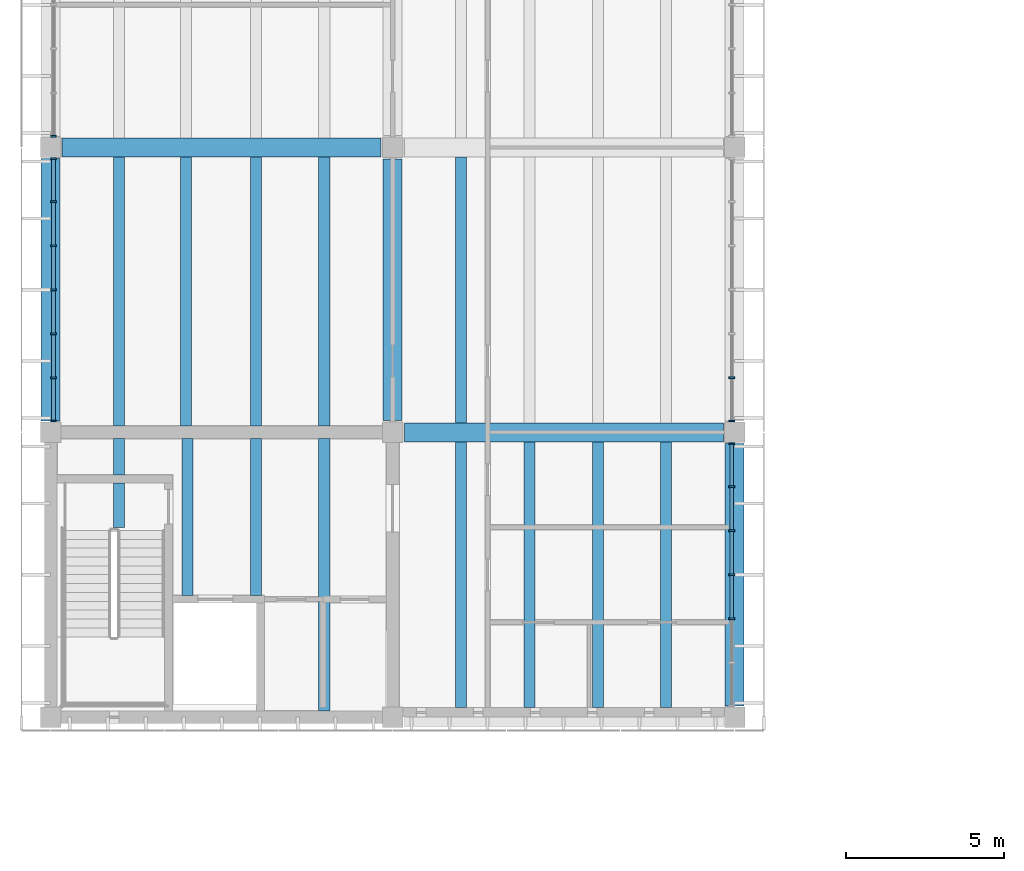
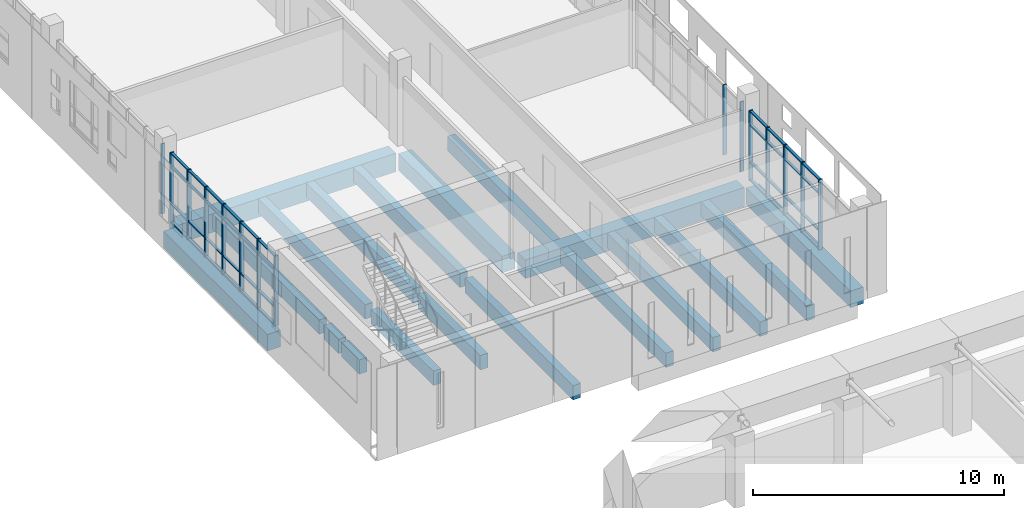
# One storey, part 12 of 92: 55 members, 19 beams, 4 elements without a shape of their own.
"""IFC4 building model written with IfcOpenShell, lengths in metres."""

from ifc_helpers import new_model, si_unit, direction, frame, origin, origin_2d, place, context, subcontext, project, spatial, rectangle, extrude, material, material_profile, profile_set, type_object, element, aggregate, save


model = new_model("IFC4")

# Units and contexts
model_context = context("Model", 3, precision=1e-05, world=origin(), true_north=direction((0.0, 1.0)))
body_context = subcontext(model_context, "Body", "Model", "MODEL_VIEW")
ifc_project = project(units=[si_unit("LENGTHUNIT", "METRE"), si_unit("AREAUNIT", "SQUARE_METRE"), si_unit("VOLUMEUNIT", "CUBIC_METRE"), si_unit("PLANEANGLEUNIT", "RADIAN"), si_unit("MASSUNIT", "GRAM", prefix="KILO")], contexts=[model_context])

# Site, building, storey
site_placement = place(None, origin())
site = spatial("IfcSite", under=ifc_project, at=site_placement, CompositionType="ELEMENT")
building_placement = place(site_placement, origin())
building = spatial("IfcBuilding", under=site, at=building_placement, Name="Merrow Basin Faculty of Sciences", CompositionType="ELEMENT")
storey_placement = place(building_placement, frame((0.0, 0.0, 4.5)))
storey = spatial("IfcBuildingStorey", under=building, at=storey_placement, Name="L01", CompositionType="ELEMENT", Elevation=4.5)

# Curtain wall, members
ifc_material_1 = material(Name="Aluminium alloy 6063", Category="aluminium")
curtain_wall_type = type_object("IfcCurtainWallType", Name="Bar unitised curtain wall 180", PredefinedType="NOTDEFINED", material=ifc_material_1)
curtain_wall_1_placement = place(storey_placement, origin())
curtain_wall_1 = element("IfcCurtainWall", 1, at=curtain_wall_1_placement, inside=storey, type_object=curtain_wall_type, Name="West curtain wall L01 1", PredefinedType="NOTDEFINED")
ifc_material_2 = material(Name="Aluminium alloy 6063", Category="aluminium")
ifc_material_profile_1 = material_profile(ifc_material_2, rectangle(XDim=0.179931640625, YDim=0.06005859375, at=origin_2d()))
ifc_profile_set_1 = profile_set([ifc_material_profile_1], Name="Aluminium alloy 6063")
member_type_1 = type_object("IfcMemberType", Name="Aluminium mullion 60x180", PredefinedType="MULLION", material=ifc_profile_set_1)
member_1_placement = place(storey_placement, frame((0.090087890625, 70.35498046875, 0.0), z_axis=(0.0, 0.0, 1.0), x_axis=(-1.0, 0.0, 0.0)))
member_1 = element("IfcMember", 2, at=member_1_placement, type_object=member_type_1, Name="CW1 mullion 1", PredefinedType="MULLION", context=body_context, shape_type="SweptSolid", body=[
    extrude(rectangle(XDim=0.179931640625, YDim=0.06005859375, at=origin_2d()), origin(), (0.0, 0.0, 1.0), 3.39990234375),
])
member_2_placement = place(storey_placement, frame((0.090087890625, 71.716552734375, 0.0), z_axis=(0.0, 0.0, 1.0), x_axis=(-1.0, 0.0, 0.0)))
member_2 = element("IfcMember", 3, at=member_2_placement, type_object=member_type_1, Name="CW1 mullion 2", PredefinedType="MULLION", context=body_context, shape_type="SweptSolid", body=[
    extrude(rectangle(XDim=0.179931640625, YDim=0.06005859375, at=origin_2d()), origin(), (0.0, 0.0, 1.0), 3.39990234375),
])
member_3_placement = place(storey_placement, frame((0.090087890625, 73.1083984375, 0.0), z_axis=(0.0, 0.0, 1.0), x_axis=(-1.0, 0.0, 0.0)))
member_3 = element("IfcMember", 4, at=member_3_placement, type_object=member_type_1, Name="CW1 mullion 3", PredefinedType="MULLION", context=body_context, shape_type="SweptSolid", body=[
    extrude(rectangle(XDim=0.179931640625, YDim=0.06005859375, at=origin_2d()), origin(), (0.0, 0.0, 1.0), 3.39990234375),
])
member_4_placement = place(storey_placement, frame((0.090087890625, 74.5, 0.0), z_axis=(0.0, 0.0, 1.0), x_axis=(-1.0, 0.0, 0.0)))
member_4 = element("IfcMember", 5, at=member_4_placement, type_object=member_type_1, Name="CW1 mullion 4", PredefinedType="MULLION", context=body_context, shape_type="SweptSolid", body=[
    extrude(rectangle(XDim=0.179931640625, YDim=0.06005859375, at=origin_2d()), origin(), (0.0, 0.0, 1.0), 3.39990234375),
])
member_5_placement = place(storey_placement, frame((0.090087890625, 75.8916015625, 0.0), z_axis=(0.0, 0.0, 1.0), x_axis=(-1.0, 0.0, 0.0)))
member_5 = element("IfcMember", 6, at=member_5_placement, type_object=member_type_1, Name="CW1 mullion 5", PredefinedType="MULLION", context=body_context, shape_type="SweptSolid", body=[
    extrude(rectangle(XDim=0.179931640625, YDim=0.06005859375, at=origin_2d()), origin(), (0.0, 0.0, 1.0), 3.39990234375),
])
member_6_placement = place(storey_placement, frame((0.090087890625, 77.283447265625, 0.0), z_axis=(0.0, 0.0, 1.0), x_axis=(-1.0, 0.0, 0.0)))
member_6 = element("IfcMember", 7, at=member_6_placement, type_object=member_type_1, Name="CW1 mullion 6", PredefinedType="MULLION", context=body_context, shape_type="SweptSolid", body=[
    extrude(rectangle(XDim=0.179931640625, YDim=0.06005859375, at=origin_2d()), origin(), (0.0, 0.0, 1.0), 3.39990234375),
])
member_7_placement = place(storey_placement, frame((0.090087890625, 78.64501953125, 0.0), z_axis=(0.0, 0.0, 1.0), x_axis=(-1.0, 0.0, 0.0)))
member_7 = element("IfcMember", 8, at=member_7_placement, type_object=member_type_1, Name="CW1 mullion 7", PredefinedType="MULLION", context=body_context, shape_type="SweptSolid", body=[
    extrude(rectangle(XDim=0.179931640625, YDim=0.06005859375, at=origin_2d()), origin(), (0.0, 0.0, 1.0), 3.39990234375),
])

# Curtain wall, member
curtain_wall_2_placement = place(storey_placement, origin())
curtain_wall_2 = element("IfcCurtainWall", 9, at=curtain_wall_2_placement, inside=storey, type_object=curtain_wall_type, Name="West curtain wall L01 2", PredefinedType="NOTDEFINED")
member_8_placement = place(storey_placement, frame((0.090087890625, 79.35498046875, 0.0), z_axis=(0.0, 0.0, 1.0), x_axis=(-1.0, 0.0, 0.0)))
member_8 = element("IfcMember", 10, at=member_8_placement, type_object=member_type_1, Name="CW1 mullion 1", PredefinedType="MULLION", context=body_context, shape_type="SweptSolid", body=[
    extrude(rectangle(XDim=0.179931640625, YDim=0.06005859375, at=origin_2d()), origin(), (0.0, 0.0, 1.0), 3.39990234375),
])
aggregate(curtain_wall_2, [member_8])

# Curtain wall, members
curtain_wall_3_placement = place(storey_placement, origin())
curtain_wall_3 = element("IfcCurtainWall", 11, at=curtain_wall_3_placement, inside=storey, type_object=curtain_wall_type, Name="East curtain wall L01 1", PredefinedType="NOTDEFINED")
member_9_placement = place(storey_placement, frame((21.510009765625, 64.1083984375, 0.0), z_axis=(0.0, 0.0, 1.0), x_axis=(-1.0, 0.0, 0.0)))
member_9 = element("IfcMember", 12, at=member_9_placement, type_object=member_type_1, Name="CW1 mullion 3", PredefinedType="MULLION", context=body_context, shape_type="SweptSolid", body=[
    extrude(rectangle(XDim=0.179931640625, YDim=0.06005859375, at=origin_2d()), origin(), (0.0, 0.0, 1.0), 3.39990234375),
])
member_10_placement = place(storey_placement, frame((21.510009765625, 65.5, 0.0), z_axis=(0.0, 0.0, 1.0), x_axis=(-1.0, 0.0, 0.0)))
member_10 = element("IfcMember", 13, at=member_10_placement, type_object=member_type_1, Name="CW1 mullion 4", PredefinedType="MULLION", context=body_context, shape_type="SweptSolid", body=[
    extrude(rectangle(XDim=0.179931640625, YDim=0.06005859375, at=origin_2d()), origin(), (0.0, 0.0, 1.0), 3.39990234375),
])
member_11_placement = place(storey_placement, frame((21.510009765625, 66.8916015625, 0.0), z_axis=(0.0, 0.0, 1.0), x_axis=(-1.0, 0.0, 0.0)))
member_11 = element("IfcMember", 14, at=member_11_placement, type_object=member_type_1, Name="CW1 mullion 5", PredefinedType="MULLION", context=body_context, shape_type="SweptSolid", body=[
    extrude(rectangle(XDim=0.179931640625, YDim=0.06005859375, at=origin_2d()), origin(), (0.0, 0.0, 1.0), 3.39990234375),
])
member_12_placement = place(storey_placement, frame((21.510009765625, 68.283447265625, 0.0), z_axis=(0.0, 0.0, 1.0), x_axis=(-1.0, 0.0, 0.0)))
member_12 = element("IfcMember", 15, at=member_12_placement, type_object=member_type_1, Name="CW1 mullion 6", PredefinedType="MULLION", context=body_context, shape_type="SweptSolid", body=[
    extrude(rectangle(XDim=0.179931640625, YDim=0.06005859375, at=origin_2d()), origin(), (0.0, 0.0, 1.0), 3.39990234375),
])
member_13_placement = place(storey_placement, frame((21.510009765625, 69.64501953125, 0.0), z_axis=(0.0, 0.0, 1.0), x_axis=(-1.0, 0.0, 0.0)))
member_13 = element("IfcMember", 16, at=member_13_placement, type_object=member_type_1, Name="CW1 mullion 7", PredefinedType="MULLION", context=body_context, shape_type="SweptSolid", body=[
    extrude(rectangle(XDim=0.179931640625, YDim=0.06005859375, at=origin_2d()), origin(), (0.0, 0.0, 1.0), 3.39990234375),
])

curtain_wall_4_placement = place(storey_placement, origin())
curtain_wall_4 = element("IfcCurtainWall", 17, at=curtain_wall_4_placement, inside=storey, type_object=curtain_wall_type, Name="East curtain wall L01 2", PredefinedType="NOTDEFINED")
member_14_placement = place(storey_placement, frame((21.510009765625, 70.35498046875, 0.0), z_axis=(0.0, 0.0, 1.0), x_axis=(-1.0, 0.0, 0.0)))
member_14 = element("IfcMember", 18, at=member_14_placement, type_object=member_type_1, Name="CW1 mullion 1", PredefinedType="MULLION", context=body_context, shape_type="SweptSolid", body=[
    extrude(rectangle(XDim=0.179931640625, YDim=0.06005859375, at=origin_2d()), origin(), (0.0, 0.0, 1.0), 3.39990234375),
])
member_15_placement = place(storey_placement, frame((21.510009765625, 71.716552734375, 0.0), z_axis=(0.0, 0.0, 1.0), x_axis=(-1.0, 0.0, 0.0)))
member_15 = element("IfcMember", 19, at=member_15_placement, type_object=member_type_1, Name="CW1 mullion 2", PredefinedType="MULLION", context=body_context, shape_type="SweptSolid", body=[
    extrude(rectangle(XDim=0.179931640625, YDim=0.06005859375, at=origin_2d()), origin(), (0.0, 0.0, 1.0), 3.39990234375),
])
aggregate(curtain_wall_4, [member_14, member_15])

# Member
ifc_material_3 = material(Name="Aluminium alloy 6063", Category="aluminium")
ifc_material_profile_2 = material_profile(ifc_material_3, rectangle(XDim=0.1201171875, YDim=0.06005859375, at=origin_2d()))
ifc_profile_set_2 = profile_set([ifc_material_profile_2], Name="Aluminium alloy 6063")
member_type_2 = type_object("IfcMemberType", Name="Aluminium transom 60x120", PredefinedType="USERDEFINED", material=ifc_profile_set_2)
member_16_placement = place(storey_placement, frame((0.090087890625, 70.385009765625, 0.030029296875), z_axis=(0.0, 1.0, 0.0), x_axis=(-1.0, 0.0, 0.0)))
member_16 = element("IfcMember", 20, at=member_16_placement, type_object=member_type_2, Name="CW1 transom 1.1", ObjectType="TRANSOM", PredefinedType="USERDEFINED", context=body_context, shape_type="SweptSolid", body=[
    extrude(rectangle(XDim=0.1201171875, YDim=0.06005859375, at=origin_2d()), origin(), (0.0, 0.0, 1.0), 1.3017578125),
])

member_17_placement = place(storey_placement, frame((0.090087890625, 70.385009765625, 0.89990234375), z_axis=(0.0, 1.0, 0.0), x_axis=(-1.0, 0.0, 0.0)))
member_17 = element("IfcMember", 21, at=member_17_placement, type_object=member_type_2, Name="CW1 transom 1.2", ObjectType="TRANSOM", PredefinedType="USERDEFINED", context=body_context, shape_type="SweptSolid", body=[
    extrude(rectangle(XDim=0.1201171875, YDim=0.06005859375, at=origin_2d()), origin(), (0.0, 0.0, 1.0), 1.3017578125),
])

member_18_placement = place(storey_placement, frame((0.090087890625, 70.385009765625, 2.699951171875), z_axis=(0.0, 1.0, 0.0), x_axis=(-1.0, 0.0, 0.0)))
member_18 = element("IfcMember", 22, at=member_18_placement, type_object=member_type_2, Name="CW1 transom 1.3", ObjectType="TRANSOM", PredefinedType="USERDEFINED", context=body_context, shape_type="SweptSolid", body=[
    extrude(rectangle(XDim=0.1201171875, YDim=0.06005859375, at=origin_2d()), origin(), (0.0, 0.0, 1.0), 1.3017578125),
])

member_19_placement = place(storey_placement, frame((0.090087890625, 70.385009765625, 3.3701171875), z_axis=(0.0, 1.0, 0.0), x_axis=(-1.0, 0.0, 0.0)))
member_19 = element("IfcMember", 23, at=member_19_placement, type_object=member_type_2, Name="CW1 transom 1.4", ObjectType="TRANSOM", PredefinedType="USERDEFINED", context=body_context, shape_type="SweptSolid", body=[
    extrude(rectangle(XDim=0.1201171875, YDim=0.06005859375, at=origin_2d()), origin(), (0.0, 0.0, 1.0), 1.3017578125),
])

member_20_placement = place(storey_placement, frame((0.090087890625, 71.74658203125, 0.030029296875), z_axis=(0.0, 1.0, 0.0), x_axis=(-1.0, 0.0, 0.0)))
member_20 = element("IfcMember", 24, at=member_20_placement, type_object=member_type_2, Name="CW1 transom 2.1", ObjectType="TRANSOM", PredefinedType="USERDEFINED", context=body_context, shape_type="SweptSolid", body=[
    extrude(rectangle(XDim=0.1201171875, YDim=0.06005859375, at=origin_2d()), origin(), (0.0, 0.0, 1.0), 1.331787109375),
])

member_21_placement = place(storey_placement, frame((0.090087890625, 71.74658203125, 0.89990234375), z_axis=(0.0, 1.0, 0.0), x_axis=(-1.0, 0.0, 0.0)))
member_21 = element("IfcMember", 25, at=member_21_placement, type_object=member_type_2, Name="CW1 transom 2.2", ObjectType="TRANSOM", PredefinedType="USERDEFINED", context=body_context, shape_type="SweptSolid", body=[
    extrude(rectangle(XDim=0.1201171875, YDim=0.06005859375, at=origin_2d()), origin(), (0.0, 0.0, 1.0), 1.331787109375),
])

member_22_placement = place(storey_placement, frame((0.090087890625, 71.74658203125, 2.699951171875), z_axis=(0.0, 1.0, 0.0), x_axis=(-1.0, 0.0, 0.0)))
member_22 = element("IfcMember", 26, at=member_22_placement, type_object=member_type_2, Name="CW1 transom 2.3", ObjectType="TRANSOM", PredefinedType="USERDEFINED", context=body_context, shape_type="SweptSolid", body=[
    extrude(rectangle(XDim=0.1201171875, YDim=0.06005859375, at=origin_2d()), origin(), (0.0, 0.0, 1.0), 1.331787109375),
])

member_23_placement = place(storey_placement, frame((0.090087890625, 71.74658203125, 3.3701171875), z_axis=(0.0, 1.0, 0.0), x_axis=(-1.0, 0.0, 0.0)))
member_23 = element("IfcMember", 27, at=member_23_placement, type_object=member_type_2, Name="CW1 transom 2.4", ObjectType="TRANSOM", PredefinedType="USERDEFINED", context=body_context, shape_type="SweptSolid", body=[
    extrude(rectangle(XDim=0.1201171875, YDim=0.06005859375, at=origin_2d()), origin(), (0.0, 0.0, 1.0), 1.331787109375),
])

member_24_placement = place(storey_placement, frame((0.090087890625, 73.138427734375, 0.030029296875), z_axis=(0.0, 1.0, 0.0), x_axis=(-1.0, 0.0, 0.0)))
member_24 = element("IfcMember", 28, at=member_24_placement, type_object=member_type_2, Name="CW1 transom 3.1", ObjectType="TRANSOM", PredefinedType="USERDEFINED", context=body_context, shape_type="SweptSolid", body=[
    extrude(rectangle(XDim=0.1201171875, YDim=0.06005859375, at=origin_2d()), origin(), (0.0, 0.0, 1.0), 1.33154296875),
])

member_25_placement = place(storey_placement, frame((0.090087890625, 73.138427734375, 0.89990234375), z_axis=(0.0, 1.0, 0.0), x_axis=(-1.0, 0.0, 0.0)))
member_25 = element("IfcMember", 29, at=member_25_placement, type_object=member_type_2, Name="CW1 transom 3.2", ObjectType="TRANSOM", PredefinedType="USERDEFINED", context=body_context, shape_type="SweptSolid", body=[
    extrude(rectangle(XDim=0.1201171875, YDim=0.06005859375, at=origin_2d()), origin(), (0.0, 0.0, 1.0), 1.33154296875),
])

member_26_placement = place(storey_placement, frame((0.090087890625, 73.138427734375, 2.699951171875), z_axis=(0.0, 1.0, 0.0), x_axis=(-1.0, 0.0, 0.0)))
member_26 = element("IfcMember", 30, at=member_26_placement, type_object=member_type_2, Name="CW1 transom 3.3", ObjectType="TRANSOM", PredefinedType="USERDEFINED", context=body_context, shape_type="SweptSolid", body=[
    extrude(rectangle(XDim=0.1201171875, YDim=0.06005859375, at=origin_2d()), origin(), (0.0, 0.0, 1.0), 1.33154296875),
])

member_27_placement = place(storey_placement, frame((0.090087890625, 73.138427734375, 3.3701171875), z_axis=(0.0, 1.0, 0.0), x_axis=(-1.0, 0.0, 0.0)))
member_27 = element("IfcMember", 31, at=member_27_placement, type_object=member_type_2, Name="CW1 transom 3.4", ObjectType="TRANSOM", PredefinedType="USERDEFINED", context=body_context, shape_type="SweptSolid", body=[
    extrude(rectangle(XDim=0.1201171875, YDim=0.06005859375, at=origin_2d()), origin(), (0.0, 0.0, 1.0), 1.33154296875),
])

member_28_placement = place(storey_placement, frame((0.090087890625, 74.530029296875, 0.030029296875), z_axis=(0.0, 1.0, 0.0), x_axis=(-1.0, 0.0, 0.0)))
member_28 = element("IfcMember", 32, at=member_28_placement, type_object=member_type_2, Name="CW1 transom 4.1", ObjectType="TRANSOM", PredefinedType="USERDEFINED", context=body_context, shape_type="SweptSolid", body=[
    extrude(rectangle(XDim=0.1201171875, YDim=0.06005859375, at=origin_2d()), origin(), (0.0, 0.0, 1.0), 1.33154296875),
])

member_29_placement = place(storey_placement, frame((0.090087890625, 74.530029296875, 0.89990234375), z_axis=(0.0, 1.0, 0.0), x_axis=(-1.0, 0.0, 0.0)))
member_29 = element("IfcMember", 33, at=member_29_placement, type_object=member_type_2, Name="CW1 transom 4.2", ObjectType="TRANSOM", PredefinedType="USERDEFINED", context=body_context, shape_type="SweptSolid", body=[
    extrude(rectangle(XDim=0.1201171875, YDim=0.06005859375, at=origin_2d()), origin(), (0.0, 0.0, 1.0), 1.33154296875),
])

member_30_placement = place(storey_placement, frame((0.090087890625, 74.530029296875, 2.699951171875), z_axis=(0.0, 1.0, 0.0), x_axis=(-1.0, 0.0, 0.0)))
member_30 = element("IfcMember", 34, at=member_30_placement, type_object=member_type_2, Name="CW1 transom 4.3", ObjectType="TRANSOM", PredefinedType="USERDEFINED", context=body_context, shape_type="SweptSolid", body=[
    extrude(rectangle(XDim=0.1201171875, YDim=0.06005859375, at=origin_2d()), origin(), (0.0, 0.0, 1.0), 1.33154296875),
])

member_31_placement = place(storey_placement, frame((0.090087890625, 74.530029296875, 3.3701171875), z_axis=(0.0, 1.0, 0.0), x_axis=(-1.0, 0.0, 0.0)))
member_31 = element("IfcMember", 35, at=member_31_placement, type_object=member_type_2, Name="CW1 transom 4.4", ObjectType="TRANSOM", PredefinedType="USERDEFINED", context=body_context, shape_type="SweptSolid", body=[
    extrude(rectangle(XDim=0.1201171875, YDim=0.06005859375, at=origin_2d()), origin(), (0.0, 0.0, 1.0), 1.33154296875),
])

member_32_placement = place(storey_placement, frame((0.090087890625, 75.921630859375, 0.030029296875), z_axis=(0.0, 1.0, 0.0), x_axis=(-1.0, 0.0, 0.0)))
member_32 = element("IfcMember", 36, at=member_32_placement, type_object=member_type_2, Name="CW1 transom 5.1", ObjectType="TRANSOM", PredefinedType="USERDEFINED", context=body_context, shape_type="SweptSolid", body=[
    extrude(rectangle(XDim=0.1201171875, YDim=0.06005859375, at=origin_2d()), origin(), (0.0, 0.0, 1.0), 1.331787109375),
])

member_33_placement = place(storey_placement, frame((0.090087890625, 75.921630859375, 0.89990234375), z_axis=(0.0, 1.0, 0.0), x_axis=(-1.0, 0.0, 0.0)))
member_33 = element("IfcMember", 37, at=member_33_placement, type_object=member_type_2, Name="CW1 transom 5.2", ObjectType="TRANSOM", PredefinedType="USERDEFINED", context=body_context, shape_type="SweptSolid", body=[
    extrude(rectangle(XDim=0.1201171875, YDim=0.06005859375, at=origin_2d()), origin(), (0.0, 0.0, 1.0), 1.331787109375),
])

member_34_placement = place(storey_placement, frame((0.090087890625, 75.921630859375, 2.699951171875), z_axis=(0.0, 1.0, 0.0), x_axis=(-1.0, 0.0, 0.0)))
member_34 = element("IfcMember", 38, at=member_34_placement, type_object=member_type_2, Name="CW1 transom 5.3", ObjectType="TRANSOM", PredefinedType="USERDEFINED", context=body_context, shape_type="SweptSolid", body=[
    extrude(rectangle(XDim=0.1201171875, YDim=0.06005859375, at=origin_2d()), origin(), (0.0, 0.0, 1.0), 1.331787109375),
])

member_35_placement = place(storey_placement, frame((0.090087890625, 75.921630859375, 3.3701171875), z_axis=(0.0, 1.0, 0.0), x_axis=(-1.0, 0.0, 0.0)))
member_35 = element("IfcMember", 39, at=member_35_placement, type_object=member_type_2, Name="CW1 transom 5.4", ObjectType="TRANSOM", PredefinedType="USERDEFINED", context=body_context, shape_type="SweptSolid", body=[
    extrude(rectangle(XDim=0.1201171875, YDim=0.06005859375, at=origin_2d()), origin(), (0.0, 0.0, 1.0), 1.331787109375),
])

member_36_placement = place(storey_placement, frame((0.090087890625, 77.313232421875, 0.030029296875), z_axis=(0.0, 1.0, 0.0), x_axis=(-1.0, 0.0, 0.0)))
member_36 = element("IfcMember", 40, at=member_36_placement, type_object=member_type_2, Name="CW1 transom 6.1", ObjectType="TRANSOM", PredefinedType="USERDEFINED", context=body_context, shape_type="SweptSolid", body=[
    extrude(rectangle(XDim=0.1201171875, YDim=0.06005859375, at=origin_2d()), origin(), (0.0, 0.0, 1.0), 1.3017578125),
])

member_37_placement = place(storey_placement, frame((0.090087890625, 77.313232421875, 0.89990234375), z_axis=(0.0, 1.0, 0.0), x_axis=(-1.0, 0.0, 0.0)))
member_37 = element("IfcMember", 41, at=member_37_placement, type_object=member_type_2, Name="CW1 transom 6.2", ObjectType="TRANSOM", PredefinedType="USERDEFINED", context=body_context, shape_type="SweptSolid", body=[
    extrude(rectangle(XDim=0.1201171875, YDim=0.06005859375, at=origin_2d()), origin(), (0.0, 0.0, 1.0), 1.3017578125),
])

member_38_placement = place(storey_placement, frame((0.090087890625, 77.313232421875, 2.699951171875), z_axis=(0.0, 1.0, 0.0), x_axis=(-1.0, 0.0, 0.0)))
member_38 = element("IfcMember", 42, at=member_38_placement, type_object=member_type_2, Name="CW1 transom 6.3", ObjectType="TRANSOM", PredefinedType="USERDEFINED", context=body_context, shape_type="SweptSolid", body=[
    extrude(rectangle(XDim=0.1201171875, YDim=0.06005859375, at=origin_2d()), origin(), (0.0, 0.0, 1.0), 1.3017578125),
])

member_39_placement = place(storey_placement, frame((0.090087890625, 77.313232421875, 3.3701171875), z_axis=(0.0, 1.0, 0.0), x_axis=(-1.0, 0.0, 0.0)))
member_39 = element("IfcMember", 43, at=member_39_placement, type_object=member_type_2, Name="CW1 transom 6.4", ObjectType="TRANSOM", PredefinedType="USERDEFINED", context=body_context, shape_type="SweptSolid", body=[
    extrude(rectangle(XDim=0.1201171875, YDim=0.06005859375, at=origin_2d()), origin(), (0.0, 0.0, 1.0), 1.3017578125),
])

aggregate(curtain_wall_1, [member_1, member_2, member_3, member_4, member_5, member_6, member_7, member_16, member_17, member_18, member_19, member_20, member_21, member_22, member_23, member_24, member_25, member_26, member_27, member_28, member_29, member_30, member_31, member_32, member_33, member_34, member_35, member_36, member_37, member_38, member_39])

member_40_placement = place(storey_placement, frame((21.510009765625, 64.138427734375, 0.030029296875), z_axis=(0.0, 1.0, 0.0), x_axis=(-1.0, 0.0, 0.0)))
member_40 = element("IfcMember", 44, at=member_40_placement, type_object=member_type_2, Name="CW1 transom 3.1", ObjectType="TRANSOM", PredefinedType="USERDEFINED", context=body_context, shape_type="SweptSolid", body=[
    extrude(rectangle(XDim=0.1201171875, YDim=0.06005859375, at=origin_2d()), origin(), (0.0, 0.0, 1.0), 1.33154296875),
])

member_41_placement = place(storey_placement, frame((21.510009765625, 64.138427734375, 0.89990234375), z_axis=(0.0, 1.0, 0.0), x_axis=(-1.0, 0.0, 0.0)))
member_41 = element("IfcMember", 45, at=member_41_placement, type_object=member_type_2, Name="CW1 transom 3.2", ObjectType="TRANSOM", PredefinedType="USERDEFINED", context=body_context, shape_type="SweptSolid", body=[
    extrude(rectangle(XDim=0.1201171875, YDim=0.06005859375, at=origin_2d()), origin(), (0.0, 0.0, 1.0), 1.33154296875),
])

member_42_placement = place(storey_placement, frame((21.510009765625, 64.138427734375, 2.699951171875), z_axis=(0.0, 1.0, 0.0), x_axis=(-1.0, 0.0, 0.0)))
member_42 = element("IfcMember", 46, at=member_42_placement, type_object=member_type_2, Name="CW1 transom 3.3", ObjectType="TRANSOM", PredefinedType="USERDEFINED", context=body_context, shape_type="SweptSolid", body=[
    extrude(rectangle(XDim=0.1201171875, YDim=0.06005859375, at=origin_2d()), origin(), (0.0, 0.0, 1.0), 1.33154296875),
])

member_43_placement = place(storey_placement, frame((21.510009765625, 64.138427734375, 3.3701171875), z_axis=(0.0, 1.0, 0.0), x_axis=(-1.0, 0.0, 0.0)))
member_43 = element("IfcMember", 47, at=member_43_placement, type_object=member_type_2, Name="CW1 transom 3.4", ObjectType="TRANSOM", PredefinedType="USERDEFINED", context=body_context, shape_type="SweptSolid", body=[
    extrude(rectangle(XDim=0.1201171875, YDim=0.06005859375, at=origin_2d()), origin(), (0.0, 0.0, 1.0), 1.33154296875),
])

member_44_placement = place(storey_placement, frame((21.510009765625, 65.530029296875, 0.030029296875), z_axis=(0.0, 1.0, 0.0), x_axis=(-1.0, 0.0, 0.0)))
member_44 = element("IfcMember", 48, at=member_44_placement, type_object=member_type_2, Name="CW1 transom 4.1", ObjectType="TRANSOM", PredefinedType="USERDEFINED", context=body_context, shape_type="SweptSolid", body=[
    extrude(rectangle(XDim=0.1201171875, YDim=0.06005859375, at=origin_2d()), origin(), (0.0, 0.0, 1.0), 1.33154296875),
])

member_45_placement = place(storey_placement, frame((21.510009765625, 65.530029296875, 0.89990234375), z_axis=(0.0, 1.0, 0.0), x_axis=(-1.0, 0.0, 0.0)))
member_45 = element("IfcMember", 49, at=member_45_placement, type_object=member_type_2, Name="CW1 transom 4.2", ObjectType="TRANSOM", PredefinedType="USERDEFINED", context=body_context, shape_type="SweptSolid", body=[
    extrude(rectangle(XDim=0.1201171875, YDim=0.06005859375, at=origin_2d()), origin(), (0.0, 0.0, 1.0), 1.33154296875),
])

member_46_placement = place(storey_placement, frame((21.510009765625, 65.530029296875, 2.699951171875), z_axis=(0.0, 1.0, 0.0), x_axis=(-1.0, 0.0, 0.0)))
member_46 = element("IfcMember", 50, at=member_46_placement, type_object=member_type_2, Name="CW1 transom 4.3", ObjectType="TRANSOM", PredefinedType="USERDEFINED", context=body_context, shape_type="SweptSolid", body=[
    extrude(rectangle(XDim=0.1201171875, YDim=0.06005859375, at=origin_2d()), origin(), (0.0, 0.0, 1.0), 1.33154296875),
])

member_47_placement = place(storey_placement, frame((21.510009765625, 65.530029296875, 3.3701171875), z_axis=(0.0, 1.0, 0.0), x_axis=(-1.0, 0.0, 0.0)))
member_47 = element("IfcMember", 51, at=member_47_placement, type_object=member_type_2, Name="CW1 transom 4.4", ObjectType="TRANSOM", PredefinedType="USERDEFINED", context=body_context, shape_type="SweptSolid", body=[
    extrude(rectangle(XDim=0.1201171875, YDim=0.06005859375, at=origin_2d()), origin(), (0.0, 0.0, 1.0), 1.33154296875),
])

member_48_placement = place(storey_placement, frame((21.510009765625, 66.921630859375, 0.030029296875), z_axis=(0.0, 1.0, 0.0), x_axis=(-1.0, 0.0, 0.0)))
member_48 = element("IfcMember", 52, at=member_48_placement, type_object=member_type_2, Name="CW1 transom 5.1", ObjectType="TRANSOM", PredefinedType="USERDEFINED", context=body_context, shape_type="SweptSolid", body=[
    extrude(rectangle(XDim=0.1201171875, YDim=0.06005859375, at=origin_2d()), origin(), (0.0, 0.0, 1.0), 1.331787109375),
])

member_49_placement = place(storey_placement, frame((21.510009765625, 66.921630859375, 0.89990234375), z_axis=(0.0, 1.0, 0.0), x_axis=(-1.0, 0.0, 0.0)))
member_49 = element("IfcMember", 53, at=member_49_placement, type_object=member_type_2, Name="CW1 transom 5.2", ObjectType="TRANSOM", PredefinedType="USERDEFINED", context=body_context, shape_type="SweptSolid", body=[
    extrude(rectangle(XDim=0.1201171875, YDim=0.06005859375, at=origin_2d()), origin(), (0.0, 0.0, 1.0), 1.331787109375),
])

member_50_placement = place(storey_placement, frame((21.510009765625, 66.921630859375, 2.699951171875), z_axis=(0.0, 1.0, 0.0), x_axis=(-1.0, 0.0, 0.0)))
member_50 = element("IfcMember", 54, at=member_50_placement, type_object=member_type_2, Name="CW1 transom 5.3", ObjectType="TRANSOM", PredefinedType="USERDEFINED", context=body_context, shape_type="SweptSolid", body=[
    extrude(rectangle(XDim=0.1201171875, YDim=0.06005859375, at=origin_2d()), origin(), (0.0, 0.0, 1.0), 1.331787109375),
])

member_51_placement = place(storey_placement, frame((21.510009765625, 66.921630859375, 3.3701171875), z_axis=(0.0, 1.0, 0.0), x_axis=(-1.0, 0.0, 0.0)))
member_51 = element("IfcMember", 55, at=member_51_placement, type_object=member_type_2, Name="CW1 transom 5.4", ObjectType="TRANSOM", PredefinedType="USERDEFINED", context=body_context, shape_type="SweptSolid", body=[
    extrude(rectangle(XDim=0.1201171875, YDim=0.06005859375, at=origin_2d()), origin(), (0.0, 0.0, 1.0), 1.331787109375),
])

member_52_placement = place(storey_placement, frame((21.510009765625, 68.313232421875, 0.030029296875), z_axis=(0.0, 1.0, 0.0), x_axis=(-1.0, 0.0, 0.0)))
member_52 = element("IfcMember", 56, at=member_52_placement, type_object=member_type_2, Name="CW1 transom 6.1", ObjectType="TRANSOM", PredefinedType="USERDEFINED", context=body_context, shape_type="SweptSolid", body=[
    extrude(rectangle(XDim=0.1201171875, YDim=0.06005859375, at=origin_2d()), origin(), (0.0, 0.0, 1.0), 1.3017578125),
])

member_53_placement = place(storey_placement, frame((21.510009765625, 68.313232421875, 0.89990234375), z_axis=(0.0, 1.0, 0.0), x_axis=(-1.0, 0.0, 0.0)))
member_53 = element("IfcMember", 57, at=member_53_placement, type_object=member_type_2, Name="CW1 transom 6.2", ObjectType="TRANSOM", PredefinedType="USERDEFINED", context=body_context, shape_type="SweptSolid", body=[
    extrude(rectangle(XDim=0.1201171875, YDim=0.06005859375, at=origin_2d()), origin(), (0.0, 0.0, 1.0), 1.3017578125),
])

member_54_placement = place(storey_placement, frame((21.510009765625, 68.313232421875, 2.699951171875), z_axis=(0.0, 1.0, 0.0), x_axis=(-1.0, 0.0, 0.0)))
member_54 = element("IfcMember", 58, at=member_54_placement, type_object=member_type_2, Name="CW1 transom 6.3", ObjectType="TRANSOM", PredefinedType="USERDEFINED", context=body_context, shape_type="SweptSolid", body=[
    extrude(rectangle(XDim=0.1201171875, YDim=0.06005859375, at=origin_2d()), origin(), (0.0, 0.0, 1.0), 1.3017578125),
])

member_55_placement = place(storey_placement, frame((21.510009765625, 68.313232421875, 3.3701171875), z_axis=(0.0, 1.0, 0.0), x_axis=(-1.0, 0.0, 0.0)))
member_55 = element("IfcMember", 59, at=member_55_placement, type_object=member_type_2, Name="CW1 transom 6.4", ObjectType="TRANSOM", PredefinedType="USERDEFINED", context=body_context, shape_type="SweptSolid", body=[
    extrude(rectangle(XDim=0.1201171875, YDim=0.06005859375, at=origin_2d()), origin(), (0.0, 0.0, 1.0), 1.3017578125),
])

aggregate(curtain_wall_3, [member_9, member_10, member_11, member_12, member_13, member_40, member_41, member_42, member_43, member_44, member_45, member_46, member_47, member_48, member_49, member_50, member_51, member_52, member_53, member_54, member_55])

# Beams
ifc_material_4 = material(Name="Concrete C40/50", Category="concrete")
ifc_material_profile_3 = material_profile(ifc_material_4, rectangle(XDim=0.60009765625, YDim=0.800048828125, at=origin_2d()))
ifc_profile_set_3 = profile_set([ifc_material_profile_3], Name="Concrete C40/50")
beam_type_1 = type_object("IfcBeamType", Name="Beam RC600x800 C40/50", PredefinedType="BEAM", material=ifc_profile_set_3)
beam_1_placement = place(storey_placement, frame((0.0, 70.35009765625, -0.699951171875), z_axis=(0.0, 1.0, 0.0), x_axis=(-1.0, 0.0, 0.0)))
element("IfcBeam", 60, at=beam_1_placement, inside=storey, type_object=beam_type_1, Name="B2 L01 015", PredefinedType="BEAM", context=body_context, shape_type="SweptSolid", body=[
    extrude(rectangle(XDim=0.60009765625, YDim=0.800048828125, at=origin_2d()), origin(), (0.0, 0.0, 1.0), 8.2998046875),
])
beam_2_placement = place(storey_placement, frame((10.800048828125, 70.375, -0.699951171875), z_axis=(0.0, 1.0, 0.0), x_axis=(-1.0, 0.0, 0.0)))
element("IfcBeam", 61, at=beam_2_placement, inside=storey, type_object=beam_type_1, Name="B2 L01 022", PredefinedType="BEAM", context=body_context, shape_type="SweptSolid", body=[
    extrude(rectangle(XDim=0.60009765625, YDim=0.800048828125, at=origin_2d()), origin(), (0.0, 0.0, 1.0), 8.25),
])
beam_3_placement = place(storey_placement, frame((21.60009765625, 61.35009765625, -0.699951171875), z_axis=(0.0, 1.0, 0.0), x_axis=(-1.0, 0.0, 0.0)))
element("IfcBeam", 62, at=beam_3_placement, inside=storey, type_object=beam_type_1, Name="B2 L01 028", PredefinedType="BEAM", context=body_context, shape_type="SweptSolid", body=[
    extrude(rectangle(XDim=0.60009765625, YDim=0.800048828125, at=origin_2d()), origin(), (0.0, 0.0, 1.0), 8.2998046875),
])
ifc_material_5 = material(Name="Concrete C40/50", Category="concrete")
ifc_material_profile_4 = material_profile(ifc_material_5, rectangle(XDim=0.60009765625, YDim=0.89990234375, at=origin_2d()))
ifc_profile_set_4 = profile_set([ifc_material_profile_4], Name="Concrete C40/50")
beam_type_2 = type_object("IfcBeamType", Name="Beam RC600x900 C40/50", PredefinedType="BEAM", material=ifc_profile_set_4)
for number, where, z_axis, x_axis, name in (
    (63, (11.175048828125, 70.0, -0.75), (1.0, 0.0, 0.0), (0.0, 1.0, 0.0), "B1 L01 002"),
    (64, (0.35009765625, 79.0, -0.75), (1.0, 0.0, 0.0), (0.0, 1.0, 0.0), "B1 L01 003"),
):
    element("IfcBeam", number, at=place(storey_placement, frame(where, z_axis=z_axis, x_axis=x_axis)), inside=storey, type_object=beam_type_2, Name=name, PredefinedType="BEAM", context=body_context, shape_type="SweptSolid", body=[
        extrude(rectangle(XDim=0.60009765625, YDim=0.89990234375, at=origin_2d()), origin(), (0.0, 0.0, 1.0), 10.074951171875),
    ])
ifc_material_6 = material(Name="Concrete C40/50", Category="concrete")
ifc_material_profile_5 = material_profile(ifc_material_6, rectangle(XDim=0.35009765625, YDim=0.699951171875, at=origin_2d()))
ifc_profile_set_5 = profile_set([ifc_material_profile_5], Name="Concrete C40/50")
beam_type_3 = type_object("IfcBeamType", Name="Laboratory plant-floor joist RC350x700 C40/50", PredefinedType="BEAM", material=ifc_profile_set_5)
beam_4_placement = place(storey_placement, frame((2.159912109375, 67.0, -0.64990234375), z_axis=(0.0, 1.0, 0.0), x_axis=(-1.0, 0.0, 0.0)))
element("IfcBeam", 65, at=beam_4_placement, inside=storey, type_object=beam_type_3, Name="JP1 L01 034", PredefinedType="BEAM", context=body_context, shape_type="SweptSolid", body=[
    extrude(rectangle(XDim=0.35009765625, YDim=0.699951171875, at=origin_2d()), origin(), (0.0, 0.0, 1.0), 1.39990234375),
])
beam_5_placement = place(storey_placement, frame((2.159912109375, 68.64990234375, -0.64990234375), z_axis=(0.0, 1.0, 0.0), x_axis=(-1.0, 0.0, 0.0)))
element("IfcBeam", 66, at=beam_5_placement, inside=storey, type_object=beam_type_3, Name="JP1 L01 035", PredefinedType="BEAM", context=body_context, shape_type="SweptSolid", body=[
    extrude(rectangle(XDim=0.35009765625, YDim=0.699951171875, at=origin_2d()), origin(), (0.0, 0.0, 1.0), 1.150146484375),
])
for number, where, z_axis, x_axis, name in (
    (67, (4.320068359375, 64.85009765625, -0.64990234375), (0.0, 1.0, 0.0), (-1.0, 0.0, 0.0), "JP1 L01 036"),
    (68, (6.47998046875, 64.85009765625, -0.64990234375), (0.0, 1.0, 0.0), (-1.0, 0.0, 0.0), "JP1 L01 037"),
):
    element("IfcBeam", number, at=place(storey_placement, frame(where, z_axis=z_axis, x_axis=x_axis)), inside=storey, type_object=beam_type_3, Name=name, PredefinedType="BEAM", context=body_context, shape_type="SweptSolid", body=[
        extrude(rectangle(XDim=0.35009765625, YDim=0.699951171875, at=origin_2d()), origin(), (0.0, 0.0, 1.0), 4.949951171875),
    ])
beam_6_placement = place(storey_placement, frame((8.639892578125, 61.199951171875, -0.64990234375), z_axis=(0.0, 1.0, 0.0), x_axis=(-1.0, 0.0, 0.0)))
element("IfcBeam", 69, at=beam_6_placement, inside=storey, type_object=beam_type_3, Name="JP1 L01 038", PredefinedType="BEAM", context=body_context, shape_type="SweptSolid", body=[
    extrude(rectangle(XDim=0.35009765625, YDim=0.699951171875, at=origin_2d()), origin(), (0.0, 0.0, 1.0), 8.60009765625),
])
for number, where, z_axis, x_axis, name in (
    (70, (2.159912109375, 70.199951171875, -0.64990234375), (0.0, 1.0, 0.0), (-1.0, 0.0, 0.0), "JP1 L01 039"),
    (71, (4.27490234375, 70.199951171875, -0.64990234375), (0.0, 1.0, 0.0), (-1.0, 0.0, 0.0), "JP1 L01 040"),
    (72, (6.47998046875, 70.199951171875, -0.64990234375), (0.0, 1.0, 0.0), (-1.0, 0.0, 0.0), "JP1 L01 041"),
    (73, (8.639892578125, 70.199951171875, -0.64990234375), (0.0, 1.0, 0.0), (-1.0, 0.0, 0.0), "JP1 L01 042"),
):
    element("IfcBeam", number, at=place(storey_placement, frame(where, z_axis=z_axis, x_axis=x_axis)), inside=storey, type_object=beam_type_3, Name=name, PredefinedType="BEAM", context=body_context, shape_type="SweptSolid", body=[
        extrude(rectangle(XDim=0.35009765625, YDim=0.699951171875, at=origin_2d()), origin(), (0.0, 0.0, 1.0), 8.5),
    ])
for number, where, z_axis, x_axis, name in (
    (74, (12.9599609375, 61.300048828125, -0.64990234375), (0.0, 1.0, 0.0), (-1.0, 0.0, 0.0), "JP1 L01 067"),
    (75, (15.1201171875, 61.300048828125, -0.64990234375), (0.0, 1.0, 0.0), (-1.0, 0.0, 0.0), "JP1 L01 068"),
    (76, (17.280029296875, 61.300048828125, -0.64990234375), (0.0, 1.0, 0.0), (-1.0, 0.0, 0.0), "JP1 L01 069"),
    (77, (19.43994140625, 61.300048828125, -0.64990234375), (0.0, 1.0, 0.0), (-1.0, 0.0, 0.0), "JP1 L01 070"),
    (78, (12.9599609375, 70.300048828125, -0.64990234375), (0.0, 1.0, 0.0), (-1.0, 0.0, 0.0), "JP1 L01 071"),
):
    element("IfcBeam", number, at=place(storey_placement, frame(where, z_axis=z_axis, x_axis=x_axis)), inside=storey, type_object=beam_type_3, Name=name, PredefinedType="BEAM", context=body_context, shape_type="SweptSolid", body=[
        extrude(rectangle(XDim=0.35009765625, YDim=0.699951171875, at=origin_2d()), origin(), (0.0, 0.0, 1.0), 8.39990234375),
    ])

save(model, "model.ifc")
